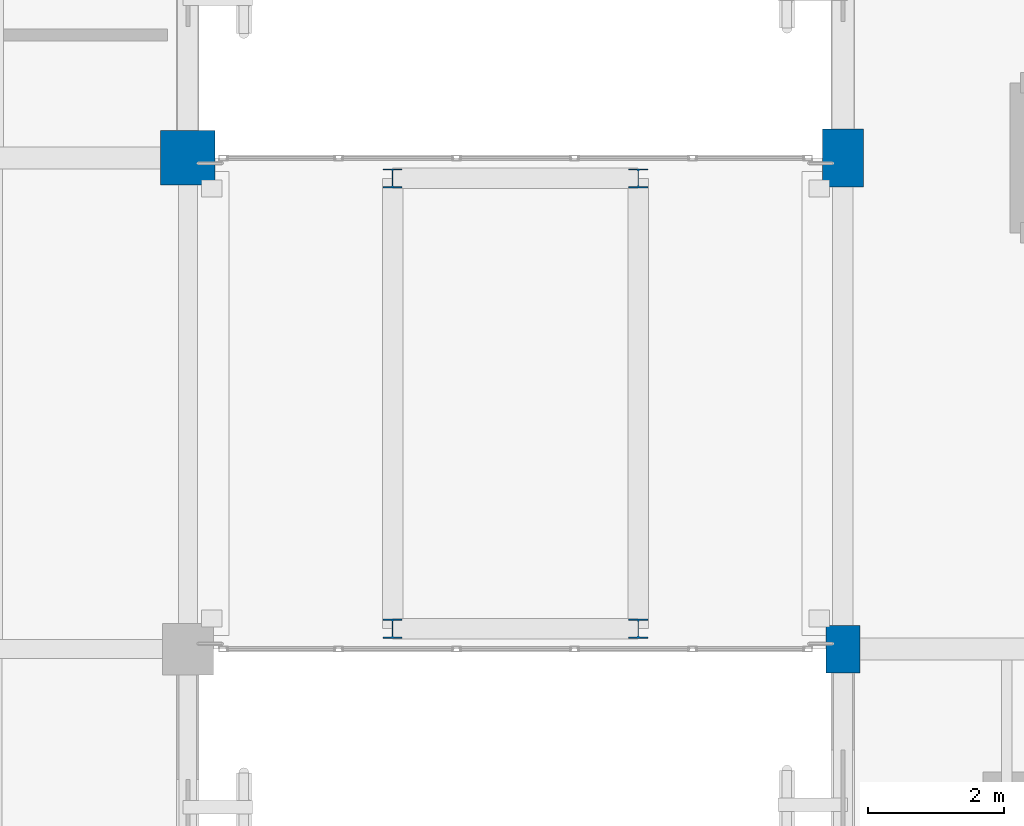
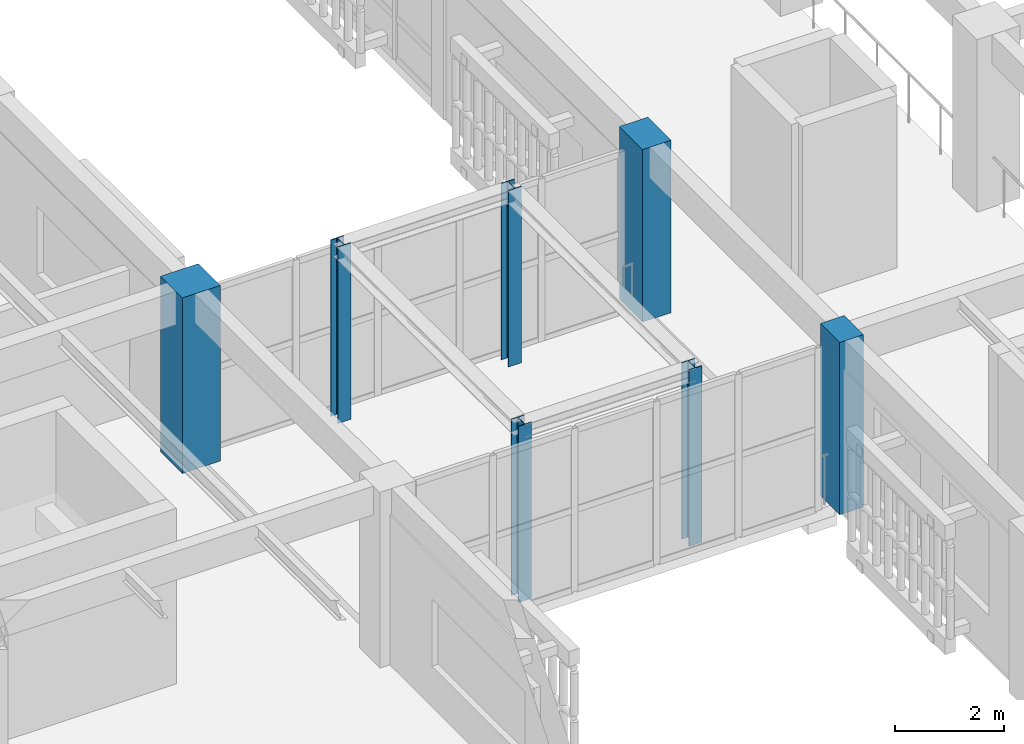
# One storey, part 5 of 170: 7 columns.
"""IFC4 building model written with IfcOpenShell, lengths in metres."""

from ifc_helpers import new_model, si_unit, direction, frame, origin, origin_2d, place, context, subcontext, project, spatial, rectangle, i_section, extrude, material, material_profile, profile_set, type_object, element, save


model = new_model("IFC4")

# Units and contexts
model_context = context("Model", 3, precision=1e-05, world=origin(), true_north=direction((0.0, 1.0)))
body_context = subcontext(model_context, "Body", "Model", "MODEL_VIEW")
ifc_project = project(units=[si_unit("LENGTHUNIT", "METRE"), si_unit("AREAUNIT", "SQUARE_METRE"), si_unit("VOLUMEUNIT", "CUBIC_METRE"), si_unit("PLANEANGLEUNIT", "RADIAN"), si_unit("MASSUNIT", "GRAM", prefix="KILO")], contexts=[model_context])

# Site, building, storey
site_placement = place(None, origin())
site = spatial("IfcSite", under=ifc_project, at=site_placement, CompositionType="ELEMENT")
building_placement = place(site_placement, origin())
building = spatial("IfcBuilding", under=site, at=building_placement, Name="Mazaris Harbour Polytechnic", CompositionType="ELEMENT")
storey_placement = place(building_placement, frame((0.0, 0.0, 5.39990234375)))
storey = spatial("IfcBuildingStorey", under=building, at=storey_placement, Name="L01", CompositionType="ELEMENT", Elevation=5.39990234375)

# Columns
ifc_material_1 = material(Name="Concrete C40/50", Category="concrete")
ifc_material_profile_1 = material_profile(ifc_material_1, rectangle(XDim=0.5, YDim=0.699951171875, at=origin_2d()), Name="RECT500x700")
ifc_profile_set_1 = profile_set([ifc_material_profile_1], Name="Concrete C40/50")
column_type_1 = type_object("IfcColumnType", Name="RC Column 500x700 Exterior", PredefinedType="COLUMN", material=ifc_profile_set_1)
column_1_placement = place(storey_placement, frame((122.39990234375, 21.60009765625, 0.0), z_axis=(0.0, 0.0, 1.0), x_axis=(1.0, 0.0, 0.0)))
element("IfcColumn", 1, at=column_1_placement, inside=storey, type_object=column_type_1, Name="V2 L01 Column 267", PredefinedType="COLUMN", context=body_context, shape_type="SweptSolid", body=[
    extrude(rectangle(XDim=0.5, YDim=0.699951171875, at=origin_2d()), origin(), (0.0, 0.0, 1.0), 3.85009765625),
])
ifc_material_2 = material(Name="Concrete C40/50", Category="concrete")
ifc_material_profile_2 = material_profile(ifc_material_2, rectangle(XDim=0.60009765625, YDim=0.85009765625, at=origin_2d()), Name="RECT600x850")
ifc_profile_set_2 = profile_set([ifc_material_profile_2], Name="Concrete C40/50")
column_type_2 = type_object("IfcColumnType", Name="RC Column 600x850 Exterior", PredefinedType="COLUMN", material=ifc_profile_set_2)
column_2_placement = place(storey_placement, frame((122.39990234375, 28.800048828125, 0.0), z_axis=(0.0, 0.0, 1.0), x_axis=(1.0, 0.0, 0.0)))
element("IfcColumn", 2, at=column_2_placement, inside=storey, type_object=column_type_2, Name="V2 L01 Column 268", PredefinedType="COLUMN", context=body_context, shape_type="SweptSolid", body=[
    extrude(rectangle(XDim=0.60009765625, YDim=0.85009765625, at=origin_2d()), origin(), (0.0, 0.0, 1.0), 3.85009765625),
])
ifc_material_3 = material(Name="Concrete C40/50", Category="concrete")
ifc_material_profile_3 = material_profile(ifc_material_3, rectangle(XDim=0.800048828125, YDim=0.800048828125, at=origin_2d()), Name="RECT800x800")
ifc_profile_set_3 = profile_set([ifc_material_profile_3], Name="Concrete C40/50")
column_type_3 = type_object("IfcColumnType", Name="RC Column 800x800 Exterior", PredefinedType="COLUMN", material=ifc_profile_set_3)
column_3_placement = place(storey_placement, frame((112.800048828125, 28.800048828125, 0.0), z_axis=(0.0, 0.0, 1.0), x_axis=(1.0, 0.0, 0.0)))
element("IfcColumn", 3, at=column_3_placement, inside=storey, type_object=column_type_3, Name="V3 L01 Column 506", PredefinedType="COLUMN", context=body_context, shape_type="SweptSolid", body=[
    extrude(rectangle(XDim=0.800048828125, YDim=0.800048828125, at=origin_2d()), origin(), (0.0, 0.0, 1.0), 3.920166015625),
])
ifc_material_4 = material(Name="Steel S355", Category="steel")
ifc_material_profile_4 = material_profile(ifc_material_4, i_section(OverallWidth=0.280029296875, OverallDepth=0.280029296875, WebThickness=0.010498046875, FlangeThickness=0.01806640625, FilletRadius=0.02392578125, at=origin_2d()), Name="HEB 280")
ifc_profile_set_4 = profile_set([ifc_material_profile_4], Name="Steel S355")
column_type_4 = type_object("IfcColumnType", Name="Steel Column HEB280 Exterior", PredefinedType="COLUMN", material=ifc_profile_set_4)
for number, where, z_axis, x_axis, name in (
    (4, (115.800048828125, 21.89990234375, 0.0), (0.0, 0.0, 1.0), (1.0, 0.0, 0.0), "PB-E1 L01 Bridge Column 1552"),
    (5, (119.39990234375, 21.89990234375, 0.0), (0.0, 0.0, 1.0), (1.0, 0.0, 0.0), "PB-E1 L01 Bridge Column 1553"),
    (6, (115.800048828125, 28.5, 0.0), (0.0, 0.0, 1.0), (1.0, 0.0, 0.0), "PB-E1 L01 Bridge Column 1554"),
    (7, (119.39990234375, 28.5, 0.0), (0.0, 0.0, 1.0), (1.0, 0.0, 0.0), "PB-E1 L01 Bridge Column 1555"),
):
    element("IfcColumn", number, at=place(storey_placement, frame(where, z_axis=z_axis, x_axis=x_axis)), inside=storey, type_object=column_type_4, Name=name, PredefinedType="COLUMN", context=body_context, shape_type="SweptSolid", body=[
        extrude(i_section(OverallWidth=0.280029296875, OverallDepth=0.280029296875, WebThickness=0.010498046875, FlangeThickness=0.01806640625, FilletRadius=0.02392578125, at=origin_2d()), origin(), (0.0, 0.0, 1.0), 3.93505859375),
    ])

save(model, "model.ifc")
